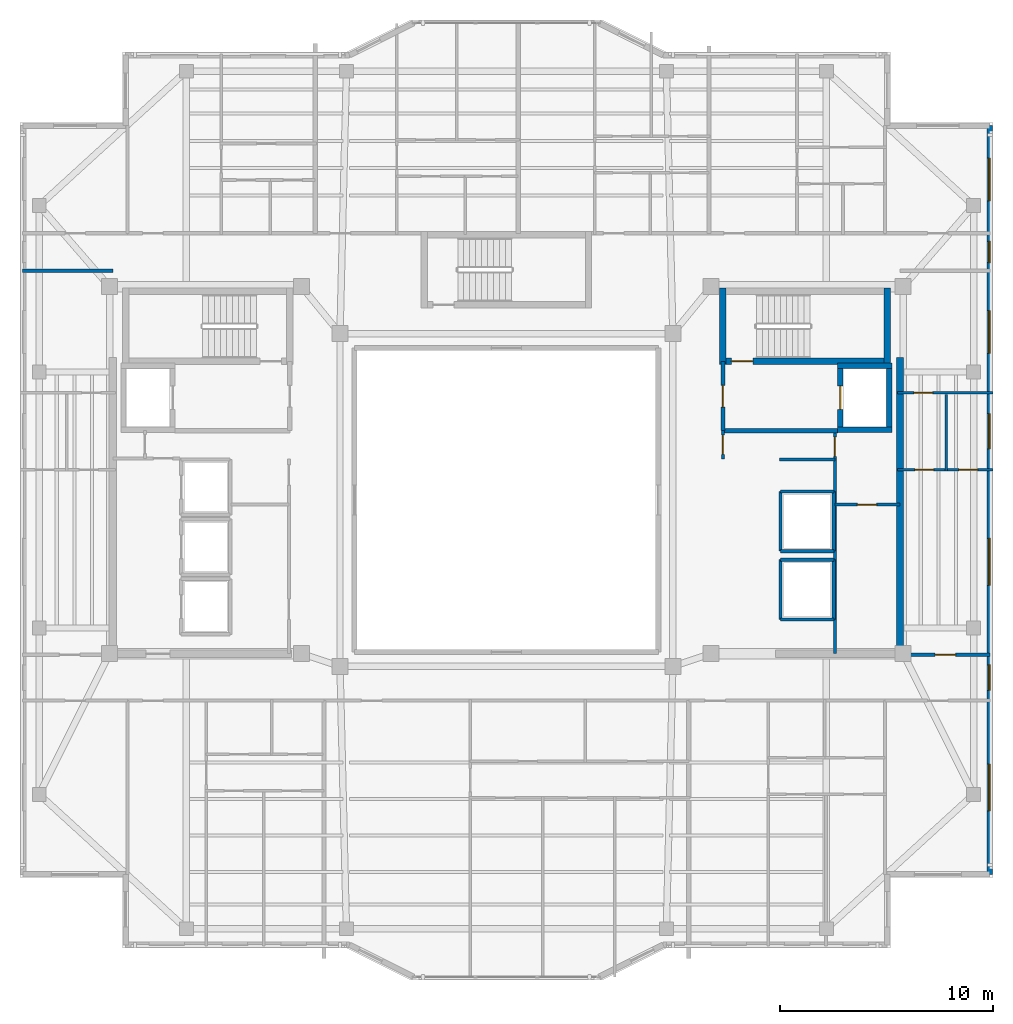
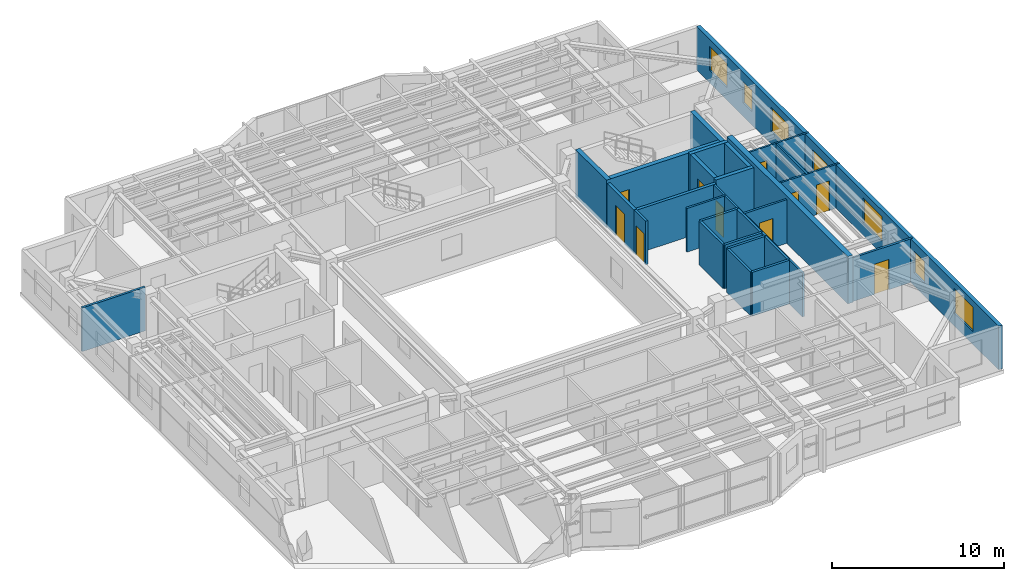
# One storey, part 9 of 15: 28 walls, 10 doors, 7 windows, 17 openings.
"""IFC4 building model written with IfcOpenShell, lengths in metres."""

from ifc_helpers import new_model, si_unit, direction, frame, frame_2d, origin, place, context, subcontext, project, spatial, rectangle, extrude, material, layer, layer_set, type_object, element, fill, save


model = new_model("IFC4")

# Units and contexts
model_context = context("Model", 3, precision=1e-05, world=origin(), true_north=direction((0.0, 1.0)))
body_context = subcontext(model_context, "Body", "Model", "MODEL_VIEW")
ifc_project = project(units=[si_unit("LENGTHUNIT", "METRE"), si_unit("AREAUNIT", "SQUARE_METRE"), si_unit("VOLUMEUNIT", "CUBIC_METRE"), si_unit("PLANEANGLEUNIT", "RADIAN"), si_unit("MASSUNIT", "GRAM", prefix="KILO")], contexts=[model_context])

# Site, building, storey
site_placement = place(None, origin())
site = spatial("IfcSite", under=ifc_project, at=site_placement, CompositionType="ELEMENT")
building_placement = place(site_placement, origin())
building = spatial("IfcBuilding", under=site, at=building_placement, Name="Tarnavaz Court Tower", CompositionType="ELEMENT")
storey_placement = place(building_placement, frame((0.0, 0.0, 244.85009765625)))
storey = spatial("IfcBuildingStorey", under=building, at=storey_placement, Name="L66", CompositionType="ELEMENT", Elevation=244.85009765625)

# Wall, opening, door
ifc_material_1 = material(Name="Concrete C50/60", Category="concrete")
ifc_layer_1 = layer(ifc_material_1, 0.25)
ifc_layer_set_1 = layer_set([ifc_layer_1], Name="Concrete C50/60")
wall_type_1 = type_object("IfcWallType", Name="WL-CORE-250-C50", PredefinedType="SHEAR", material=ifc_layer_set_1)
wall_1_placement = place(storey_placement, frame((15.64990234375, 3.175048828125, 0.0), z_axis=(0.0, 0.0, 1.0), x_axis=(0.0, 1.0, 0.0)))
wall_1 = element("IfcWall", 1, at=wall_1_placement, inside=storey, type_object=wall_type_1, Name="L66 Lift FL-E1 Shaft Wall 033", PredefinedType="SHEAR", context=body_context, shape_type="SweptSolid", body=[
    extrude(rectangle(XDim=3.25, YDim=0.25, at=frame_2d((1.625, 0.0))), origin(), (0.0, 0.0, 1.0), 3.349853515625),
])
opening_1_placement = place(wall_1_placement, frame((1.074951171875, 0.0, 0.0)))
opening_1 = element("IfcOpeningElement", 2, at=opening_1_placement, cuts=wall_1, Name="Opening LD1", PredefinedType="OPENING", context=body_context, shape_type="SweptSolid", body=[
    extrude(rectangle(XDim=1.10009765625, YDim=2.14990234375, at=frame_2d((0.550048828125, 1.074951171875))), frame((0.0, 0.135009765625, 0.0), z_axis=(0.0, -1.0, 0.0), x_axis=(1.0, 0.0, 0.0)), (0.0, 0.0, 1.0), 0.27001953125),
])
ifc_material_2 = material(Name="Stainless Steel", Category="steel")
door_type_1 = type_object("IfcDoorType", Name="DR-LD-1100", OperationType="NOTDEFINED", PredefinedType="DOOR", material=ifc_material_2)
door_1_placement = place(opening_1_placement, origin())
door_1 = element("IfcDoor", 3, at=door_1_placement, inside=storey, type_object=door_type_1, Name="L66 Lift Landing Door LD-FL-E1", OperationType="SLIDING_TO_LEFT", OverallHeight=2.14990234375, OverallWidth=1.10009765625, PredefinedType="DOOR", context=body_context, shape_type="SweptSolid", body=[
    extrude(rectangle(XDim=1.10009765625, YDim=2.14990234375, at=frame_2d((0.550048828125, 1.074951171875))), frame((0.0, 0.02490234375, 0.0), z_axis=(0.0, -1.0, 0.0), x_axis=(1.0, 0.0, 0.0)), (0.0, 0.0, 1.0), 0.050048828125),
])
fill(opening_1, door_1)

# Walls
wall_2_placement = place(storey_placement, frame((17.949951171875, 3.175048828125, 0.0), z_axis=(0.0, 0.0, 1.0), x_axis=(0.0, 1.0, 0.0)))
element("IfcWall", 4, at=wall_2_placement, inside=storey, type_object=wall_type_1, Name="L66 Lift FL-E1 Shaft Wall 034", PredefinedType="SHEAR", context=body_context, shape_type="SweptSolid", body=[
    extrude(rectangle(XDim=3.25, YDim=0.25, at=frame_2d((1.625, 0.0))), origin(), (0.0, 0.0, 1.0), 3.349853515625),
])
for number, where, z_axis, x_axis, name in (
    (5, (15.52490234375, 3.300048828125, 0.0), (0.0, 0.0, 1.0), (1.0, 0.0, 0.0), "L66 Lift FL-E1 Shaft Wall 035"),
    (6, (15.52490234375, 6.300048828125, 0.0), (0.0, 0.0, 1.0), (1.0, 0.0, 0.0), "L66 Lift FL-E1 Shaft Wall 036"),
):
    element("IfcWall", number, at=place(storey_placement, frame(where, z_axis=z_axis, x_axis=x_axis)), inside=storey, type_object=wall_type_1, Name=name, PredefinedType="SHEAR", context=body_context, shape_type="SweptSolid", body=[
        extrude(rectangle(XDim=2.550048828125, YDim=0.25, at=frame_2d((1.27490234375, 0.0))), origin(), (0.0, 0.0, 1.0), 3.349853515625),
    ])

# Wall, opening, door
ifc_layer_2 = layer(ifc_material_1, 0.300048828125)
ifc_layer_set_2 = layer_set([ifc_layer_2], Name="Concrete C50/60")
wall_type_2 = type_object("IfcWallType", Name="WL-CORE-300-C50", PredefinedType="SHEAR", material=ifc_layer_set_2)
wall_3_placement = place(storey_placement, frame((10.0, 6.5, 0.0), z_axis=(0.0, 0.0, 1.0), x_axis=(1.0, 0.0, 0.0)))
wall_3 = element("IfcWall", 7, at=wall_3_placement, inside=storey, type_object=wall_type_2, Name="L66 East Stair Core Wall 006", PredefinedType="SHEAR", context=body_context, shape_type="SweptSolid", body=[
    extrude(rectangle(XDim=8.0, YDim=0.300048828125, at=frame_2d((4.0, 0.0))), origin(), (0.0, 0.0, 1.0), 3.349853515625),
])
opening_2_placement = place(wall_3_placement, frame((0.550048828125, 0.0, 0.0)))
opening_2 = element("IfcOpeningElement", 8, at=opening_2_placement, cuts=wall_3, Name="Opening D01", PredefinedType="OPENING", context=body_context, shape_type="SweptSolid", body=[
    extrude(rectangle(XDim=1.0, YDim=2.14990234375, at=frame_2d((0.5, 1.074951171875))), frame((0.0, 0.159912109375, 0.0), z_axis=(0.0, -1.0, 0.0), x_axis=(1.0, 0.0, 0.0)), (0.0, 0.0, 1.0), 0.320068359375),
])
ifc_material_3 = material(Name="Fire-Rated Hardwood Timber Core", Category="wood")
door_type_2 = type_object("IfcDoorType", Name="DR-FD90-1000", OperationType="NOTDEFINED", PredefinedType="DOOR", material=ifc_material_3)
door_2_placement = place(opening_2_placement, origin())
door_2 = element("IfcDoor", 9, at=door_2_placement, inside=storey, type_object=door_type_2, Name="L66 Stair ST-E1 Exit Door", OperationType="SINGLE_SWING_RIGHT", OverallHeight=2.14990234375, OverallWidth=1.0, PredefinedType="DOOR", context=body_context, shape_type="SweptSolid", body=[
    extrude(rectangle(XDim=1.0, YDim=2.14990234375, at=frame_2d((0.5, 1.074951171875))), frame((0.0, 0.02490234375, 0.0), z_axis=(0.0, -1.0, 0.0), x_axis=(1.0, 0.0, 0.0)), (0.0, 0.0, 1.0), 0.050048828125),
])
fill(opening_2, door_2)

# Walls
for number, where, z_axis, x_axis, name in (
    (10, (10.14990234375, 6.35009765625, 0.0), (0.0, 0.0, 1.0), (0.0, 1.0, 0.0), "L66 East Stair Core Wall 007"),
    (11, (17.85009765625, 6.35009765625, 0.0), (0.0, 0.0, 1.0), (0.0, 1.0, 0.0), "L66 East Stair Core Wall 008"),
):
    element("IfcWall", number, at=place(storey_placement, frame(where, z_axis=z_axis, x_axis=x_axis)), inside=storey, type_object=wall_type_2, Name=name, PredefinedType="SHEAR", context=body_context, shape_type="SweptSolid", body=[
        extrude(rectangle(XDim=3.58984375, YDim=0.300048828125, at=frame_2d((1.794921875, 0.0))), origin(), (0.0, 0.0, 1.0), 3.349853515625),
    ])
ifc_layer_3 = layer(ifc_material_1, 0.35009765625)
ifc_layer_set_3 = layer_set([ifc_layer_3], Name="Concrete C50/60")
wall_type_3 = type_object("IfcWallType", Name="WL-CORE-350-C50", PredefinedType="SHEAR", material=ifc_layer_set_3)
wall_4_placement = place(storey_placement, frame((18.449951171875, -7.375, 0.0), z_axis=(0.0, 0.0, 1.0), x_axis=(0.0, 1.0, 0.0)))
element("IfcWall", 12, at=wall_4_placement, inside=storey, type_object=wall_type_3, Name="L66 East Core Shear Wall 047", PredefinedType="SHEAR", context=body_context, shape_type="SweptSolid", body=[
    extrude(rectangle(XDim=14.050048828125, YDim=0.35009765625, at=frame_2d((7.02490234375, 0.0))), origin(), (0.0, 0.0, 1.0), 3.349853515625),
])

# Wall, openings, windows
ifc_material_4 = material(Name="Precast Concrete C40/50", Category="concrete")
ifc_layer_4 = layer(ifc_material_4, 0.260009765625)
ifc_layer_set_4 = layer_set([ifc_layer_4], Name="Precast Concrete C40/50")
wall_type_4 = type_object("IfcWallType", Name="WL-EXT-260", PredefinedType="SOLIDWALL", material=ifc_layer_set_4)
wall_5_placement = place(storey_placement, frame((22.64990234375, 17.550048828125, 0.0), z_axis=(0.0, 0.0, 1.0), x_axis=(0.0, -1.0, 0.0)))
wall_5 = element("IfcWall", 13, at=wall_5_placement, inside=storey, type_object=wall_type_4, Name="L66 Exterior Terracotta Facade Wall 12", PredefinedType="SOLIDWALL", context=body_context, shape_type="SweptSolid", body=[
    extrude(rectangle(XDim=35.10009765625, YDim=0.260009765625, at=frame_2d((17.550048828125, 0.0))), origin(), (0.0, 0.0, 1.0), 3.099853515625),
])
opening_3_placement = place(wall_5_placement, frame((1.52490234375, 0.0, 0.89990234375)))
opening_3 = element("IfcOpeningElement", 14, at=opening_3_placement, cuts=wall_5, Name="Opening W08", PredefinedType="OPENING", context=body_context, shape_type="SweptSolid", body=[
    extrude(rectangle(XDim=2.0, YDim=1.699951171875, at=frame_2d((1.0, 0.85009765625))), frame((0.0, 0.139892578125, 0.0), z_axis=(0.0, -1.0, 0.0), x_axis=(1.0, 0.0, 0.0)), (0.0, 0.0, 1.0), 0.280029296875),
])
opening_4_placement = place(wall_5_placement, frame((5.425048828125, 0.0, 0.949951171875)))
opening_4 = element("IfcOpeningElement", 15, at=opening_4_placement, cuts=wall_5, Name="Opening W14", PredefinedType="OPENING", context=body_context, shape_type="SweptSolid", body=[
    extrude(rectangle(XDim=1.0, YDim=1.5, at=frame_2d((0.5, 0.75))), frame((0.0, 0.139892578125, 0.0), z_axis=(0.0, -1.0, 0.0), x_axis=(1.0, 0.0, 0.0)), (0.0, 0.0, 1.0), 0.280029296875),
])
opening_5_placement = place(wall_5_placement, frame((8.675048828125, 0.0, 0.89990234375)))
opening_5 = element("IfcOpeningElement", 16, at=opening_5_placement, cuts=wall_5, Name="Opening W08", PredefinedType="OPENING", context=body_context, shape_type="SweptSolid", body=[
    extrude(rectangle(XDim=2.0, YDim=1.699951171875, at=frame_2d((1.0, 0.85009765625))), frame((0.0, 0.139892578125, 0.0), z_axis=(0.0, -1.0, 0.0), x_axis=(1.0, 0.0, 0.0)), (0.0, 0.0, 1.0), 0.280029296875),
])
opening_6_placement = place(wall_5_placement, frame((13.5, 0.0, 0.89990234375)))
opening_6 = element("IfcOpeningElement", 17, at=opening_6_placement, cuts=wall_5, Name="Opening W02", PredefinedType="OPENING", context=body_context, shape_type="SweptSolid", body=[
    extrude(rectangle(XDim=1.64990234375, YDim=1.60009765625, at=frame_2d((0.824951171875, 0.800048828125))), frame((0.0, 0.139892578125, 0.0), z_axis=(0.0, -1.0, 0.0), x_axis=(1.0, 0.0, 0.0)), (0.0, 0.0, 1.0), 0.280029296875),
])
opening_7_placement = place(wall_5_placement, frame((19.35009765625, 0.0, 0.89990234375)))
opening_7 = element("IfcOpeningElement", 18, at=opening_7_placement, cuts=wall_5, Name="Opening W07", PredefinedType="OPENING", context=body_context, shape_type="SweptSolid", body=[
    extrude(rectangle(XDim=2.199951171875, YDim=1.75, at=frame_2d((1.10009765625, 0.875))), frame((0.0, 0.139892578125, 0.0), z_axis=(0.0, -1.0, 0.0), x_axis=(1.0, 0.0, 0.0)), (0.0, 0.0, 1.0), 0.280029296875),
])
opening_8_placement = place(wall_5_placement, frame((25.27490234375, 0.0, 0.949951171875)))
opening_8 = element("IfcOpeningElement", 19, at=opening_8_placement, cuts=wall_5, Name="Opening W05", PredefinedType="OPENING", context=body_context, shape_type="SweptSolid", body=[
    extrude(rectangle(XDim=1.199951171875, YDim=1.5, at=frame_2d((0.60009765625, 0.75))), frame((0.0, 0.139892578125, 0.0), z_axis=(0.0, -1.0, 0.0), x_axis=(1.0, 0.0, 0.0)), (0.0, 0.0, 1.0), 0.280029296875),
])
opening_9_placement = place(wall_5_placement, frame((29.925048828125, 0.0, 0.89990234375)))
opening_9 = element("IfcOpeningElement", 20, at=opening_9_placement, cuts=wall_5, Name="Opening W07", PredefinedType="OPENING", context=body_context, shape_type="SweptSolid", body=[
    extrude(rectangle(XDim=2.199951171875, YDim=1.75, at=frame_2d((1.10009765625, 0.875))), frame((0.0, 0.139892578125, 0.0), z_axis=(0.0, -1.0, 0.0), x_axis=(1.0, 0.0, 0.0)), (0.0, 0.0, 1.0), 0.280029296875),
])
ifc_material_5 = material(Name="Double-Glazed Solar Low-E Glass", Category="glass")
window_type_1 = type_object("IfcWindowType", Name="WN-APT-1000", PartitioningType="SINGLE_PANEL", PredefinedType="WINDOW", material=ifc_material_5)
window_1_placement = place(opening_4_placement, origin())
window_1 = element("IfcWindow", 21, at=window_1_placement, inside=storey, type_object=window_type_1, Name="L66 North-East Corner Corridor Window", OverallHeight=1.5, OverallWidth=1.0, PartitioningType="SINGLE_PANEL", PredefinedType="WINDOW", context=body_context, shape_type="SweptSolid", body=[
    extrude(rectangle(XDim=1.0, YDim=1.5, at=frame_2d((0.5, 0.75))), frame((0.0, 0.030029296875, 0.0), z_axis=(0.0, -1.0, 0.0), x_axis=(1.0, 0.0, 0.0)), (0.0, 0.0, 1.0), 0.06005859375),
])
fill(opening_4, window_1)
window_type_2 = type_object("IfcWindowType", Name="WN-APT-1200", PartitioningType="SINGLE_PANEL", PredefinedType="WINDOW", material=ifc_material_5)
window_2_placement = place(opening_8_placement, origin())
window_2 = element("IfcWindow", 22, at=window_2_placement, inside=storey, type_object=window_type_2, Name="L66 South-East Corner Corridor Window", OverallHeight=1.5, OverallWidth=1.199951171875, PartitioningType="SINGLE_PANEL", PredefinedType="WINDOW", context=body_context, shape_type="SweptSolid", body=[
    extrude(rectangle(XDim=1.199951171875, YDim=1.5, at=frame_2d((0.60009765625, 0.75))), frame((0.0, 0.030029296875, 0.0), z_axis=(0.0, -1.0, 0.0), x_axis=(1.0, 0.0, 0.0)), (0.0, 0.0, 1.0), 0.06005859375),
])
fill(opening_8, window_2)
window_type_3 = type_object("IfcWindowType", Name="WN-APT-1650", PartitioningType="DOUBLE_PANEL_VERTICAL", PredefinedType="WINDOW", material=ifc_material_5)
window_3_placement = place(opening_6_placement, origin())
window_3 = element("IfcWindow", 23, at=window_3_placement, inside=storey, type_object=window_type_3, Name="L66 Flat 09 Bathroom Window", OverallHeight=1.60009765625, OverallWidth=1.64990234375, PartitioningType="SINGLE_PANEL", PredefinedType="WINDOW", context=body_context, shape_type="SweptSolid", body=[
    extrude(rectangle(XDim=1.64990234375, YDim=1.60009765625, at=frame_2d((0.824951171875, 0.800048828125))), frame((0.0, 0.030029296875, 0.0), z_axis=(0.0, -1.0, 0.0), x_axis=(1.0, 0.0, 0.0)), (0.0, 0.0, 1.0), 0.06005859375),
])
fill(opening_6, window_3)
window_type_4 = type_object("IfcWindowType", Name="WN-APT-2000", PartitioningType="DOUBLE_PANEL_VERTICAL", PredefinedType="WINDOW", material=ifc_material_5)
window_4_placement = place(opening_3_placement, origin())
window_4 = element("IfcWindow", 24, at=window_4_placement, inside=storey, type_object=window_type_4, Name="L66 North-East Corner Sunroom Study Window", OverallHeight=1.699951171875, OverallWidth=2.0, PartitioningType="SINGLE_PANEL", PredefinedType="WINDOW", context=body_context, shape_type="SweptSolid", body=[
    extrude(rectangle(XDim=2.0, YDim=1.699951171875, at=frame_2d((1.0, 0.85009765625))), frame((0.0, 0.030029296875, 0.0), z_axis=(0.0, -1.0, 0.0), x_axis=(1.0, 0.0, 0.0)), (0.0, 0.0, 1.0), 0.06005859375),
])
fill(opening_3, window_4)
window_5_placement = place(opening_5_placement, origin())
window_5 = element("IfcWindow", 25, at=window_5_placement, inside=storey, type_object=window_type_4, Name="L66 Flat 09 Study Room Window", OverallHeight=1.699951171875, OverallWidth=2.0, PartitioningType="SINGLE_PANEL", PredefinedType="WINDOW", context=body_context, shape_type="SweptSolid", body=[
    extrude(rectangle(XDim=2.0, YDim=1.699951171875, at=frame_2d((1.0, 0.85009765625))), frame((0.0, 0.030029296875, 0.0), z_axis=(0.0, -1.0, 0.0), x_axis=(1.0, 0.0, 0.0)), (0.0, 0.0, 1.0), 0.06005859375),
])
fill(opening_5, window_5)
window_type_5 = type_object("IfcWindowType", Name="WN-APT-2200", PartitioningType="TRIPLE_PANEL_VERTICAL", PredefinedType="WINDOW", material=ifc_material_5)
window_6_placement = place(opening_7_placement, origin())
window_6 = element("IfcWindow", 26, at=window_6_placement, inside=storey, type_object=window_type_5, Name="L66 Flat 09 Studio Living and Sleeping Room Window", OverallHeight=1.75, OverallWidth=2.199951171875, PartitioningType="SINGLE_PANEL", PredefinedType="WINDOW", context=body_context, shape_type="SweptSolid", body=[
    extrude(rectangle(XDim=2.199951171875, YDim=1.75, at=frame_2d((1.10009765625, 0.875))), frame((0.0, 0.030029296875, 0.0), z_axis=(0.0, -1.0, 0.0), x_axis=(1.0, 0.0, 0.0)), (0.0, 0.0, 1.0), 0.06005859375),
])
fill(opening_7, window_6)
window_7_placement = place(opening_9_placement, origin())
window_7 = element("IfcWindow", 27, at=window_7_placement, inside=storey, type_object=window_type_5, Name="L66 South-East Corner Reading Room Window", OverallHeight=1.75, OverallWidth=2.199951171875, PartitioningType="SINGLE_PANEL", PredefinedType="WINDOW", context=body_context, shape_type="SweptSolid", body=[
    extrude(rectangle(XDim=2.199951171875, YDim=1.75, at=frame_2d((1.10009765625, 0.875))), frame((0.0, 0.030029296875, 0.0), z_axis=(0.0, -1.0, 0.0), x_axis=(1.0, 0.0, 0.0)), (0.0, 0.0, 1.0), 0.06005859375),
])
fill(opening_9, window_7)

# Wall
ifc_material_6 = material(Name="Gypsum Fire-Board on Acoustic Metal Stud", Category="masonry")
ifc_layer_5 = layer(ifc_material_6, 0.14990234375)
ifc_layer_set_5 = layer_set([ifc_layer_5], Name="Gypsum Fire-Board on Acoustic Metal Stud")
wall_type_5 = type_object("IfcWallType", Name="WL-FIRE-150", PredefinedType="PARTITIONING", material=ifc_layer_set_5)
wall_6_placement = place(storey_placement, frame((-22.679931640625, 10.75, 0.0), z_axis=(0.0, 0.0, 1.0), x_axis=(1.0, 0.0, 0.0)))
element("IfcWall", 28, at=wall_6_placement, inside=storey, type_object=wall_type_5, Name="L66 Interior Partition 109", PredefinedType="PARTITIONING", context=body_context, shape_type="SweptSolid", body=[
    extrude(rectangle(XDim=4.22998046875, YDim=0.14990234375, at=frame_2d((2.114990234375, 0.0))), origin(), (0.0, 0.0, 1.0), 3.099853515625),
])

# Wall, opening, door
wall_7_placement = place(storey_placement, frame((18.449951171875, -7.25, 0.0), z_axis=(0.0, 0.0, 1.0), x_axis=(1.0, 0.0, 0.0)))
wall_7 = element("IfcWall", 29, at=wall_7_placement, inside=storey, type_object=wall_type_5, Name="L66 Interior Partition 110", PredefinedType="PARTITIONING", context=body_context, shape_type="SweptSolid", body=[
    extrude(rectangle(XDim=4.22998046875, YDim=0.14990234375, at=frame_2d((2.114990234375, 0.0))), origin(), (0.0, 0.0, 1.0), 3.099853515625),
])
opening_10_placement = place(wall_7_placement, frame((1.64990234375, 0.0, 0.0)))
opening_10 = element("IfcOpeningElement", 30, at=opening_10_placement, cuts=wall_7, Name="Opening D06", PredefinedType="OPENING", context=body_context, shape_type="SweptSolid", body=[
    extrude(rectangle(XDim=0.9599609375, YDim=2.14990234375, at=frame_2d((0.47998046875, 1.074951171875))), frame((0.0, 0.0849609375, 0.0), z_axis=(0.0, -1.0, 0.0), x_axis=(1.0, 0.0, 0.0)), (0.0, 0.0, 1.0), 0.169921875),
])
door_type_3 = type_object("IfcDoorType", Name="DR-FD60-950", OperationType="NOTDEFINED", PredefinedType="DOOR", material=ifc_material_3)
door_3_placement = place(opening_10_placement, origin())
door_3 = element("IfcDoor", 31, at=door_3_placement, inside=storey, type_object=door_type_3, Name="L66 Flat 09 Entrance Door", OperationType="SINGLE_SWING_RIGHT", OverallHeight=2.14990234375, OverallWidth=0.9599609375, PredefinedType="DOOR", context=body_context, shape_type="SweptSolid", body=[
    extrude(rectangle(XDim=0.9599609375, YDim=2.14990234375, at=frame_2d((0.47998046875, 1.074951171875))), frame((0.0, 0.02490234375, 0.0), z_axis=(0.0, -1.0, 0.0), x_axis=(1.0, 0.0, 0.0)), (0.0, 0.0, 1.0), 0.050048828125),
])
fill(opening_10, door_3)

# Wall
ifc_material_7 = material(Name="Autoclaved Aerated Concrete Blockwork", Category="masonry")
ifc_layer_6 = layer(ifc_material_7, 0.199951171875)
ifc_layer_set_6 = layer_set([ifc_layer_6], Name="Autoclaved Aerated Concrete Blockwork")
wall_type_6 = type_object("IfcWallType", Name="WL-FIRE-200", PredefinedType="SOLIDWALL", material=ifc_layer_set_6)
wall_8_placement = place(storey_placement, frame((10.14990234375, 3.25, 0.0), z_axis=(0.0, 0.0, 1.0), x_axis=(1.0, 0.0, 0.0)))
element("IfcWall", 32, at=wall_8_placement, inside=storey, type_object=wall_type_6, Name="L66 East Firefighting Lobby Wall 015", PredefinedType="SOLIDWALL", context=body_context, shape_type="SweptSolid", body=[
    extrude(rectangle(XDim=5.400146484375, YDim=0.199951171875, at=frame_2d((2.7001953125, 0.0))), origin(), (0.0, 0.0, 1.0), 3.099853515625),
])

# Wall, opening, door
wall_9_placement = place(storey_placement, frame((10.14990234375, 3.25, 0.0), z_axis=(0.0, 0.0, 1.0), x_axis=(0.0, 1.0, 0.0)))
wall_9 = element("IfcWall", 33, at=wall_9_placement, inside=storey, type_object=wall_type_6, Name="L66 East Firefighting Lobby Wall 016", PredefinedType="SOLIDWALL", context=body_context, shape_type="SweptSolid", body=[
    extrude(rectangle(XDim=3.25, YDim=0.199951171875, at=frame_2d((1.625, 0.0))), origin(), (0.0, 0.0, 1.0), 3.099853515625),
])
opening_11_placement = place(wall_9_placement, frame((1.10009765625, 0.0, 0.0)))
opening_11 = element("IfcOpeningElement", 34, at=opening_11_placement, cuts=wall_9, Name="Opening D05", PredefinedType="OPENING", context=body_context, shape_type="SweptSolid", body=[
    extrude(rectangle(XDim=1.02001953125, YDim=2.14990234375, at=frame_2d((0.510009765625, 1.074951171875))), frame((0.0, 0.10986328125, 0.0), z_axis=(0.0, -1.0, 0.0), x_axis=(1.0, 0.0, 0.0)), (0.0, 0.0, 1.0), 0.219970703125),
])
door_type_4 = type_object("IfcDoorType", Name="DR-FD60-1000", OperationType="NOTDEFINED", PredefinedType="DOOR", material=ifc_material_3)
door_4_placement = place(opening_11_placement, origin())
door_4 = element("IfcDoor", 35, at=door_4_placement, inside=storey, type_object=door_type_4, Name="L66 East Firefighting Lobby Door", OperationType="SINGLE_SWING_LEFT", OverallHeight=2.14990234375, OverallWidth=1.02001953125, PredefinedType="DOOR", context=body_context, shape_type="SweptSolid", body=[
    extrude(rectangle(XDim=1.02001953125, YDim=2.14990234375, at=frame_2d((0.510009765625, 1.074951171875))), frame((0.0, 0.02490234375, 0.0), z_axis=(0.0, -1.0, 0.0), x_axis=(1.0, 0.0, 0.0)), (0.0, 0.0, 1.0), 0.050048828125),
])
fill(opening_11, door_4)

# Wall, openings, doors
ifc_material_8 = material(Name="Moisture-Resistant Gypsum Board Partition", Category="masonry")
ifc_layer_7 = layer(ifc_material_8, 0.1201171875)
ifc_layer_set_7 = layer_set([ifc_layer_7], Name="Moisture-Resistant Gypsum Board Partition")
wall_type_7 = type_object("IfcWallType", Name="WL-PART-120", PredefinedType="PARTITIONING", material=ifc_layer_set_7)
wall_10_placement = place(storey_placement, frame((18.330078125, 1.419921875, 0.0), z_axis=(0.0, 0.0, 1.0), x_axis=(1.0, 0.0, 0.0)))
wall_10 = element("IfcWall", 36, at=wall_10_placement, inside=storey, type_object=wall_type_7, Name="L66 Interior Partition 123", PredefinedType="PARTITIONING", context=body_context, shape_type="SweptSolid", body=[
    extrude(rectangle(XDim=4.469970703125, YDim=0.1201171875, at=frame_2d((2.23486328125, 0.0))), origin(), (0.0, 0.0, 1.0), 3.099853515625),
])
opening_12_placement = place(wall_10_placement, frame((0.81298828125, 0.0, 0.0)))
opening_12 = element("IfcOpeningElement", 37, at=opening_12_placement, cuts=wall_10, Name="Opening D14", PredefinedType="OPENING", context=body_context, shape_type="SweptSolid", body=[
    extrude(rectangle(XDim=0.8798828125, YDim=2.10009765625, at=frame_2d((0.43994140625, 1.050048828125))), frame((0.0, 0.070068359375, 0.0), z_axis=(0.0, -1.0, 0.0), x_axis=(1.0, 0.0, 0.0)), (0.0, 0.0, 1.0), 0.14013671875),
])
opening_13_placement = place(wall_10_placement, frame((2.8779296875, 0.0, 0.0)))
opening_13 = element("IfcOpeningElement", 38, at=opening_13_placement, cuts=wall_10, Name="Opening D14", PredefinedType="OPENING", context=body_context, shape_type="SweptSolid", body=[
    extrude(rectangle(XDim=0.8798828125, YDim=2.10009765625, at=frame_2d((0.43994140625, 1.050048828125))), frame((0.0, 0.070068359375, 0.0), z_axis=(0.0, -1.0, 0.0), x_axis=(1.0, 0.0, 0.0)), (0.0, 0.0, 1.0), 0.14013671875),
])
ifc_material_9 = material(Name="Engineered Oak Timber", Category="wood")
door_type_5 = type_object("IfcDoorType", Name="DR-INT-900", OperationType="NOTDEFINED", PredefinedType="DOOR", material=ifc_material_9)
door_5_placement = place(opening_12_placement, origin())
door_5 = element("IfcDoor", 39, at=door_5_placement, inside=storey, type_object=door_type_5, Name="L66 Flat 09 Kitchen Door", OperationType="SINGLE_SWING_LEFT", OverallHeight=2.10009765625, OverallWidth=0.8798828125, PredefinedType="DOOR", context=body_context, shape_type="SweptSolid", body=[
    extrude(rectangle(XDim=0.8798828125, YDim=2.10009765625, at=frame_2d((0.43994140625, 1.050048828125))), frame((0.0, 0.02490234375, 0.0), z_axis=(0.0, -1.0, 0.0), x_axis=(1.0, 0.0, 0.0)), (0.0, 0.0, 1.0), 0.050048828125),
])
fill(opening_12, door_5)
door_6_placement = place(opening_13_placement, origin())
door_6 = element("IfcDoor", 40, at=door_6_placement, inside=storey, type_object=door_type_5, Name="L66 Flat 09 Bathroom Door", OperationType="SINGLE_SWING_RIGHT", OverallHeight=2.10009765625, OverallWidth=0.8798828125, PredefinedType="DOOR", context=body_context, shape_type="SweptSolid", body=[
    extrude(rectangle(XDim=0.8798828125, YDim=2.10009765625, at=frame_2d((0.43994140625, 1.050048828125))), frame((0.0, 0.02490234375, 0.0), z_axis=(0.0, -1.0, 0.0), x_axis=(1.0, 0.0, 0.0)), (0.0, 0.0, 1.0), 0.050048828125),
])
fill(opening_13, door_6)

# Wall, opening, door
wall_11_placement = place(storey_placement, frame((18.330078125, 5.02001953125, 0.0), z_axis=(0.0, 0.0, 1.0), x_axis=(1.0, 0.0, 0.0)))
wall_11 = element("IfcWall", 41, at=wall_11_placement, inside=storey, type_object=wall_type_7, Name="L66 Interior Partition 124", PredefinedType="PARTITIONING", context=body_context, shape_type="SweptSolid", body=[
    extrude(rectangle(XDim=4.469970703125, YDim=0.1201171875, at=frame_2d((2.23486328125, 0.0))), origin(), (0.0, 0.0, 1.0), 3.099853515625),
])
opening_14_placement = place(wall_11_placement, frame((0.77001953125, 0.0, 0.0)))
opening_14 = element("IfcOpeningElement", 42, at=opening_14_placement, cuts=wall_11, Name="Opening D14", PredefinedType="OPENING", context=body_context, shape_type="SweptSolid", body=[
    extrude(rectangle(XDim=0.8798828125, YDim=2.10009765625, at=frame_2d((0.43994140625, 1.050048828125))), frame((0.0, 0.070068359375, 0.0), z_axis=(0.0, -1.0, 0.0), x_axis=(1.0, 0.0, 0.0)), (0.0, 0.0, 1.0), 0.14013671875),
])
door_7_placement = place(opening_14_placement, origin())
door_7 = element("IfcDoor", 43, at=door_7_placement, inside=storey, type_object=door_type_5, Name="L66 Flat 09 Study Door", OperationType="SINGLE_SWING_LEFT", OverallHeight=2.10009765625, OverallWidth=0.8798828125, PredefinedType="DOOR", context=body_context, shape_type="SweptSolid", body=[
    extrude(rectangle(XDim=0.8798828125, YDim=2.10009765625, at=frame_2d((0.43994140625, 1.050048828125))), frame((0.0, 0.02490234375, 0.0), z_axis=(0.0, -1.0, 0.0), x_axis=(1.0, 0.0, 0.0)), (0.0, 0.0, 1.0), 0.050048828125),
])
fill(opening_14, door_7)

# Walls
wall_12_placement = place(storey_placement, frame((20.614990234375, 1.360107421875, 0.0), z_axis=(0.0, 0.0, 1.0), x_axis=(0.0, 1.0, 0.0)))
element("IfcWall", 44, at=wall_12_placement, inside=storey, type_object=wall_type_7, Name="L66 Interior Partition 125", PredefinedType="PARTITIONING", context=body_context, shape_type="SweptSolid", body=[
    extrude(rectangle(XDim=3.579833984375, YDim=0.1201171875, at=frame_2d((1.7900390625, 0.0))), origin(), (0.0, 0.0, 1.0), 3.099853515625),
])
ifc_material_10 = material(Name="Gypsum Plasterboard Acoustic Partition", Category="masonry")
ifc_layer_8 = layer(ifc_material_10, 0.139892578125)
ifc_layer_set_8 = layer_set([ifc_layer_8], Name="Gypsum Plasterboard Acoustic Partition")
wall_type_8 = type_object("IfcWallType", Name="WL-PART-150", PredefinedType="PARTITIONING", material=ifc_layer_set_8)
wall_13_placement = place(storey_placement, frame((12.800048828125, 1.89990234375, 0.0), z_axis=(0.0, 0.0, 1.0), x_axis=(1.0, 0.0, 0.0)))
element("IfcWall", 45, at=wall_13_placement, inside=storey, type_object=wall_type_8, Name="L66 Interior Partition 053", PredefinedType="PARTITIONING", context=body_context, shape_type="SweptSolid", body=[
    extrude(rectangle(XDim=2.599853515625, YDim=0.139892578125, at=frame_2d((1.2998046875, 0.0))), origin(), (0.0, 0.0, 1.0), 3.099853515625),
])

# Wall, opening, door
wall_14_placement = place(storey_placement, frame((10.14990234375, 1.919921875, 0.0), z_axis=(0.0, 0.0, 1.0), x_axis=(0.0, 1.0, 0.0)))
wall_14 = element("IfcWall", 46, at=wall_14_placement, inside=storey, type_object=wall_type_8, Name="L66 Interior Partition 054", PredefinedType="PARTITIONING", context=body_context, shape_type="SweptSolid", body=[
    extrude(rectangle(XDim=1.330078125, YDim=0.139892578125, at=frame_2d((0.6650390625, 0.0))), origin(), (0.0, 0.0, 1.0), 3.099853515625),
])
opening_15_placement = place(wall_14_placement, frame((0.219970703125, 0.0, 0.0)))
opening_15 = element("IfcOpeningElement", 47, at=opening_15_placement, cuts=wall_14, Name="Opening D09", PredefinedType="OPENING", context=body_context, shape_type="SweptSolid", body=[
    extrude(rectangle(XDim=0.89990234375, YDim=2.080078125, at=frame_2d((0.449951171875, 1.0400390625))), frame((0.0, 0.079833984375, 0.0), z_axis=(0.0, -1.0, 0.0), x_axis=(1.0, 0.0, 0.0)), (0.0, 0.0, 1.0), 0.159912109375),
])
door_type_6 = type_object("IfcDoorType", Name="DR-FD30-900", OperationType="NOTDEFINED", PredefinedType="DOOR", material=ifc_material_3)
door_8_placement = place(opening_15_placement, origin())
door_8 = element("IfcDoor", 48, at=door_8_placement, inside=storey, type_object=door_type_6, Name="L66 East Core Service Lobby Door", OperationType="SINGLE_SWING_RIGHT", OverallHeight=2.080078125, OverallWidth=0.89990234375, PredefinedType="DOOR", context=body_context, shape_type="SweptSolid", body=[
    extrude(rectangle(XDim=0.89990234375, YDim=2.080078125, at=frame_2d((0.449951171875, 1.0400390625))), frame((0.0, 0.02490234375, 0.0), z_axis=(0.0, -1.0, 0.0), x_axis=(1.0, 0.0, 0.0)), (0.0, 0.0, 1.0), 0.050048828125),
])
fill(opening_15, door_8)

wall_15_placement = place(storey_placement, frame((15.39990234375, -7.199951171875, 0.0), z_axis=(0.0, 0.0, 1.0), x_axis=(0.0, 1.0, 0.0)))
wall_15 = element("IfcWall", 49, at=wall_15_placement, inside=storey, type_object=wall_type_8, Name="L66 Interior Partition 055", PredefinedType="PARTITIONING", context=body_context, shape_type="SweptSolid", body=[
    extrude(rectangle(XDim=10.449951171875, YDim=0.139892578125, at=frame_2d((5.22509765625, 0.0))), origin(), (0.0, 0.0, 1.0), 3.099853515625),
])
opening_16_placement = place(wall_15_placement, frame((9.25, 0.0, 0.0)))
opening_16 = element("IfcOpeningElement", 50, at=opening_16_placement, cuts=wall_15, Name="Opening D09", PredefinedType="OPENING", context=body_context, shape_type="SweptSolid", body=[
    extrude(rectangle(XDim=0.89990234375, YDim=2.080078125, at=frame_2d((0.449951171875, 1.0400390625))), frame((0.0, 0.079833984375, 0.0), z_axis=(0.0, -1.0, 0.0), x_axis=(1.0, 0.0, 0.0)), (0.0, 0.0, 1.0), 0.159912109375),
])
door_9_placement = place(opening_16_placement, origin())
door_9 = element("IfcDoor", 51, at=door_9_placement, inside=storey, type_object=door_type_6, Name="L66 East Wet Riser Door", OperationType="SINGLE_SWING_LEFT", OverallHeight=2.080078125, OverallWidth=0.89990234375, PredefinedType="DOOR", context=body_context, shape_type="SweptSolid", body=[
    extrude(rectangle(XDim=0.89990234375, YDim=2.080078125, at=frame_2d((0.449951171875, 1.0400390625))), frame((0.0, 0.02490234375, 0.0), z_axis=(0.0, -1.0, 0.0), x_axis=(1.0, 0.0, 0.0)), (0.0, 0.0, 1.0), 0.050048828125),
])
fill(opening_16, door_9)

wall_16_placement = place(storey_placement, frame((15.39990234375, -0.219970703125, 0.0), z_axis=(0.0, 0.0, 1.0), x_axis=(1.0, 0.0, 0.0)))
wall_16 = element("IfcWall", 52, at=wall_16_placement, inside=storey, type_object=wall_type_8, Name="L66 Interior Partition 056", PredefinedType="PARTITIONING", context=body_context, shape_type="SweptSolid", body=[
    extrude(rectangle(XDim=3.050048828125, YDim=0.139892578125, at=frame_2d((1.52490234375, 0.0))), origin(), (0.0, 0.0, 1.0), 3.099853515625),
])
opening_17_placement = place(wall_16_placement, frame((1.050048828125, 0.0, 0.0)))
opening_17 = element("IfcOpeningElement", 53, at=opening_17_placement, cuts=wall_16, Name="Opening D09", PredefinedType="OPENING", context=body_context, shape_type="SweptSolid", body=[
    extrude(rectangle(XDim=0.89990234375, YDim=2.080078125, at=frame_2d((0.449951171875, 1.0400390625))), frame((0.0, 0.079833984375, 0.0), z_axis=(0.0, -1.0, 0.0), x_axis=(1.0, 0.0, 0.0)), (0.0, 0.0, 1.0), 0.159912109375),
])
door_10_placement = place(opening_17_placement, origin())
door_10 = element("IfcDoor", 54, at=door_10_placement, inside=storey, type_object=door_type_6, Name="L66 East Electrical Plant Door", OperationType="SINGLE_SWING_RIGHT", OverallHeight=2.080078125, OverallWidth=0.89990234375, PredefinedType="DOOR", context=body_context, shape_type="SweptSolid", body=[
    extrude(rectangle(XDim=0.89990234375, YDim=2.080078125, at=frame_2d((0.449951171875, 1.0400390625))), frame((0.0, 0.02490234375, 0.0), z_axis=(0.0, -1.0, 0.0), x_axis=(1.0, 0.0, 0.0)), (0.0, 0.0, 1.0), 0.050048828125),
])
fill(opening_17, door_10)

# Walls
ifc_layer_9 = layer(ifc_material_7, 0.159912109375)
ifc_layer_set_9 = layer_set([ifc_layer_9], Name="Autoclaved Aerated Concrete Blockwork")
wall_type_9 = type_object("IfcWallType", Name="WL-SHAFT-150", PredefinedType="SOLIDWALL", material=ifc_layer_set_9)
for number, where, z_axis, x_axis, name in (
    (55, (12.85009765625, -5.60009765625, 0.0), (0.0, 0.0, 1.0), (0.0, 1.0, 0.0), "L66 Lift PL-OB1 Shaft Wall 037"),
    (56, (15.35009765625, -5.60009765625, 0.0), (0.0, 0.0, 1.0), (0.0, 1.0, 0.0), "L66 Lift PL-OB1 Shaft Wall 038"),
):
    element("IfcWall", number, at=place(storey_placement, frame(where, z_axis=z_axis, x_axis=x_axis)), inside=storey, type_object=wall_type_9, Name=name, PredefinedType="SOLIDWALL", context=body_context, shape_type="SweptSolid", body=[
        extrude(rectangle(XDim=2.800048828125, YDim=0.159912109375, at=frame_2d((1.39990234375, 0.0))), origin(), (0.0, 0.0, 1.0), 3.099853515625),
    ])
for number, where, z_axis, x_axis, name in (
    (57, (12.85009765625, -5.60009765625, 0.0), (0.0, 0.0, 1.0), (1.0, 0.0, 0.0), "L66 Lift PL-OB1 Shaft Wall 039"),
    (58, (12.85009765625, -2.800048828125, 0.0), (0.0, 0.0, 1.0), (1.0, 0.0, 0.0), "L66 Lift PL-OB1 Shaft Wall 040"),
):
    element("IfcWall", number, at=place(storey_placement, frame(where, z_axis=z_axis, x_axis=x_axis)), inside=storey, type_object=wall_type_9, Name=name, PredefinedType="SOLIDWALL", context=body_context, shape_type="SweptSolid", body=[
        extrude(rectangle(XDim=2.5, YDim=0.159912109375, at=frame_2d((1.25, 0.0))), origin(), (0.0, 0.0, 1.0), 3.099853515625),
    ])
for number, where, z_axis, x_axis, name in (
    (59, (12.85009765625, -2.39990234375, 0.0), (0.0, 0.0, 1.0), (0.0, 1.0, 0.0), "L66 Lift PL-OB2 Shaft Wall 041"),
    (60, (15.35009765625, -2.39990234375, 0.0), (0.0, 0.0, 1.0), (0.0, 1.0, 0.0), "L66 Lift PL-OB2 Shaft Wall 042"),
):
    element("IfcWall", number, at=place(storey_placement, frame(where, z_axis=z_axis, x_axis=x_axis)), inside=storey, type_object=wall_type_9, Name=name, PredefinedType="SOLIDWALL", context=body_context, shape_type="SweptSolid", body=[
        extrude(rectangle(XDim=2.7998046875, YDim=0.159912109375, at=frame_2d((1.39990234375, 0.0))), origin(), (0.0, 0.0, 1.0), 3.099853515625),
    ])
for number, where, z_axis, x_axis, name in (
    (61, (12.85009765625, -2.39990234375, 0.0), (0.0, 0.0, 1.0), (1.0, 0.0, 0.0), "L66 Lift PL-OB2 Shaft Wall 043"),
    (62, (12.85009765625, 0.39990234375, 0.0), (0.0, 0.0, 1.0), (1.0, 0.0, 0.0), "L66 Lift PL-OB2 Shaft Wall 044"),
):
    element("IfcWall", number, at=place(storey_placement, frame(where, z_axis=z_axis, x_axis=x_axis)), inside=storey, type_object=wall_type_9, Name=name, PredefinedType="SOLIDWALL", context=body_context, shape_type="SweptSolid", body=[
        extrude(rectangle(XDim=2.5, YDim=0.159912109375, at=frame_2d((1.25, 0.0))), origin(), (0.0, 0.0, 1.0), 3.099853515625),
    ])

save(model, "model.ifc")
